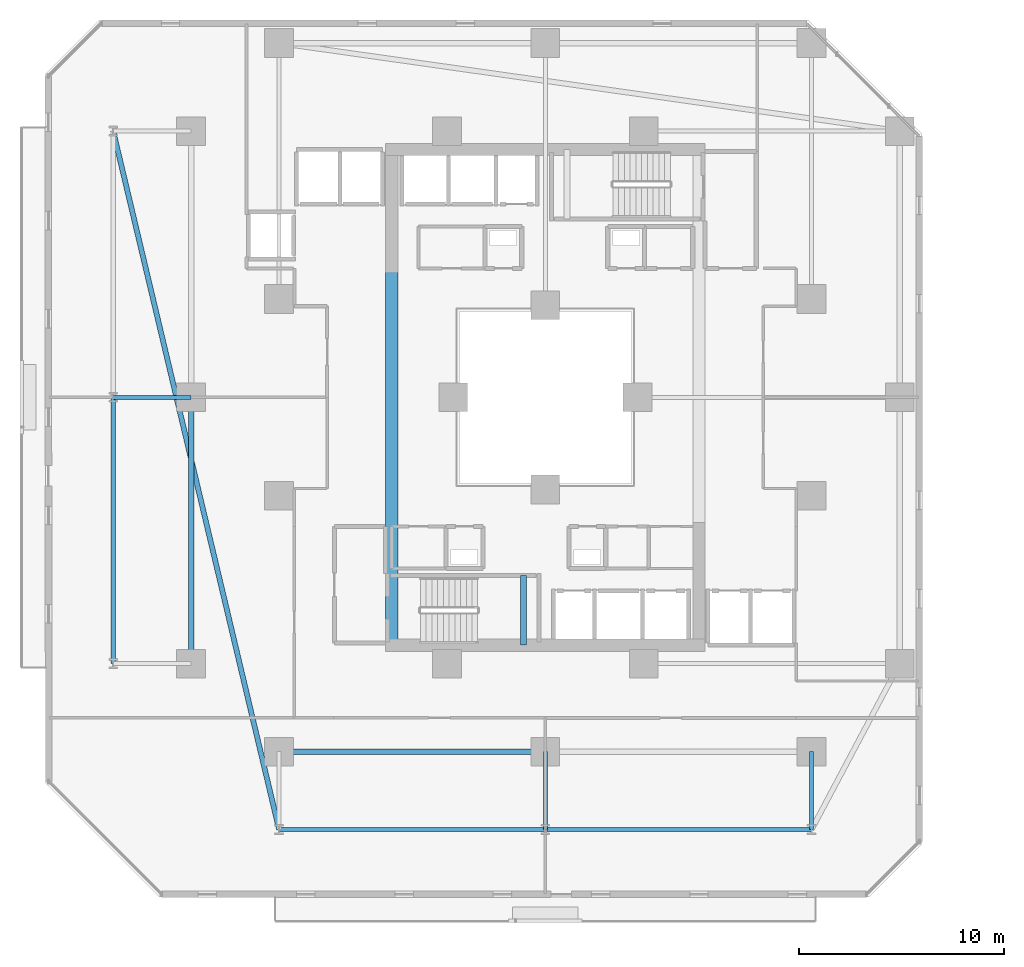
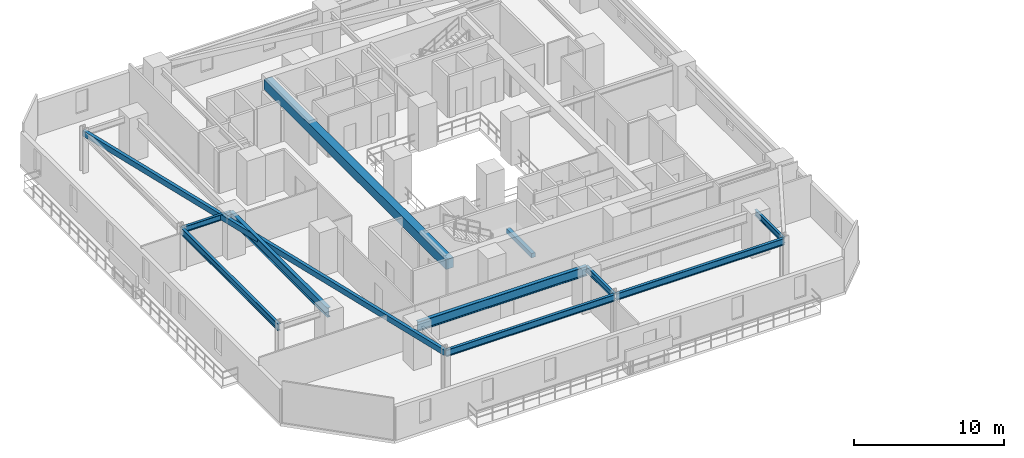
# One storey, part 4 of 33: 11 beams.
"""IFC4 building model written with IfcOpenShell, lengths in metres."""

from ifc_helpers import new_model, si_unit, direction, frame, origin, origin_2d, place, context, subcontext, project, spatial, rectangle, hollow_rectangle, i_section, extrude, material, material_profile, profile_set, type_object, element, save


model = new_model("IFC4")

# Units and contexts
model_context = context("Model", 3, precision=1e-05, world=origin(), true_north=direction((0.0, 1.0)))
body_context = subcontext(model_context, "Body", "Model", "MODEL_VIEW")
ifc_project = project(units=[si_unit("LENGTHUNIT", "METRE"), si_unit("AREAUNIT", "SQUARE_METRE"), si_unit("VOLUMEUNIT", "CUBIC_METRE"), si_unit("PLANEANGLEUNIT", "RADIAN"), si_unit("MASSUNIT", "GRAM", prefix="KILO")], contexts=[model_context])

# Site, building, storey
site_placement = place(None, origin())
site = spatial("IfcSite", under=ifc_project, at=site_placement, CompositionType="ELEMENT")
building_placement = place(site_placement, origin())
building = spatial("IfcBuilding", under=site, at=building_placement, Name="Thornwick Lancets Civic Towers", CompositionType="ELEMENT")
storey_placement = place(building_placement, frame((0.0, 0.0, 35.10009765625)))
storey = spatial("IfcBuildingStorey", under=building, at=storey_placement, Name="L08", CompositionType="ELEMENT", Elevation=35.10009765625)

# Beams
ifc_material_1 = material(Name="Concrete C60/75", Category="concrete")
ifc_material_profile_1 = material_profile(ifc_material_1, rectangle(XDim=0.60009765625, YDim=0.800048828125, at=origin_2d()), Name="RC 600x800")
ifc_profile_set_1 = profile_set([ifc_material_profile_1], Name="Concrete C60/75")
beam_type_1 = type_object("IfcBeamType", Name="BM_COUP_RC800", PredefinedType="BEAM", material=ifc_profile_set_1)
beam_1_placement = place(storey_placement, frame((18.0, 14.89990234375, 2.9599609375), z_axis=(0.0, 1.0, 0.0), x_axis=(-1.0, 0.0, 0.0)))
element("IfcBeam", 1, at=beam_1_placement, inside=storey, type_object=beam_type_1, Name="CB-L08-A2", PredefinedType="BEAM", context=body_context, shape_type="SweptSolid", body=[
    extrude(rectangle(XDim=0.60009765625, YDim=0.800048828125, at=origin_2d()), origin(), (0.0, 0.0, 1.0), 24.2001953125),
])
ifc_material_2 = material(Name="Steel S355JR", Category="steel")
ifc_material_profile_2 = material_profile(ifc_material_2, i_section(OverallWidth=0.2119140625, OverallDepth=0.54443359375, WebThickness=0.0126953125, FlangeThickness=0.021240234375, FilletRadius=0.0126953125, at=origin_2d()), Name="UKB 533x210x122")
ifc_profile_set_2 = profile_set([ifc_material_profile_2], Name="Steel S355JR")
beam_type_2 = type_object("IfcBeamType", Name="BM_EDGE_533_122", PredefinedType="SPANDREL", material=ifc_profile_set_2)
beam_2_placement = place(storey_placement, frame((12.5, 5.89990234375, 3.087646484375), z_axis=(1.0, 0.0, 0.0), x_axis=(0.0, 1.0, 0.0)))
element("IfcBeam", 2, at=beam_2_placement, inside=storey, type_object=beam_type_2, Name="BM-EDGE-L08-A-S0-1", PredefinedType="SPANDREL", context=body_context, shape_type="SweptSolid", body=[
    extrude(i_section(OverallWidth=0.2119140625, OverallDepth=0.54443359375, WebThickness=0.0126953125, FlangeThickness=0.021240234375, FilletRadius=0.0126953125, at=origin_2d()), origin(), (0.0, 0.0, 1.0), 13.0),
])
beam_3_placement = place(storey_placement, frame((25.580078125, 5.89990234375, 3.087646484375), z_axis=(1.0, 0.0, 0.0), x_axis=(0.0, 1.0, 0.0)))
element("IfcBeam", 3, at=beam_3_placement, inside=storey, type_object=beam_type_2, Name="BM-EDGE-L08-A-S0-2", PredefinedType="SPANDREL", context=body_context, shape_type="SweptSolid", body=[
    extrude(i_section(OverallWidth=0.2119140625, OverallDepth=0.54443359375, WebThickness=0.0126953125, FlangeThickness=0.021240234375, FilletRadius=0.0126953125, at=origin_2d()), origin(), (0.0, 0.0, 1.0), 12.919921875),
])
beam_4_placement = place(storey_placement, frame((4.39990234375, 14.0, 3.087646484375), z_axis=(0.0, 1.0, 0.0), x_axis=(-1.0, 0.0, 0.0)))
element("IfcBeam", 4, at=beam_4_placement, inside=storey, type_object=beam_type_2, Name="BM-EDGE-L08-A-S3-1", PredefinedType="SPANDREL", context=body_context, shape_type="SweptSolid", body=[
    extrude(i_section(OverallWidth=0.2119140625, OverallDepth=0.54443359375, WebThickness=0.0126953125, FlangeThickness=0.021240234375, FilletRadius=0.0126953125, at=origin_2d()), origin(), (0.0, 0.0, 1.0), 13.0),
])
ifc_material_profile_3 = material_profile(ifc_material_2, i_section(OverallWidth=0.26806640625, OverallDepth=0.769775390625, WebThickness=0.015625, FlangeThickness=0.025390625, FilletRadius=0.0166015625, at=origin_2d()), Name="UKB 762x267x197")
ifc_profile_set_3 = profile_set([ifc_material_profile_3], Name="Steel S355JR")
beam_type_3 = type_object("IfcBeamType", Name="BM_GIRD_762_197", PredefinedType="BEAM", material=ifc_profile_set_3)
for number, where, z_axis, x_axis, name in (
    (5, (12.5, 9.699951171875, 2.97509765625), (1.0, 0.0, 0.0), (0.0, 1.0, 0.0), "BM-SPINE-L08-A-0-1"),
    (6, (8.199951171875, 14.0, 2.97509765625), (0.0, 1.0, 0.0), (-1.0, 0.0, 0.0), "BM-SPINE-L08-A-9-10"),
):
    element("IfcBeam", number, at=place(storey_placement, frame(where, z_axis=z_axis, x_axis=x_axis)), inside=storey, type_object=beam_type_3, Name=name, PredefinedType="BEAM", context=body_context, shape_type="SweptSolid", body=[
        extrude(i_section(OverallWidth=0.26806640625, OverallDepth=0.769775390625, WebThickness=0.015625, FlangeThickness=0.025390625, FilletRadius=0.0166015625, at=origin_2d()), origin(), (0.0, 0.0, 1.0), 13.0),
    ])
ifc_material_profile_4 = material_profile(ifc_material_2, i_section(OverallWidth=0.19287109375, OverallDepth=0.46728515625, WebThickness=0.011474609375, FlangeThickness=0.01953125, FilletRadius=0.01025390625, at=origin_2d()), Name="UKB 457x191x98")
ifc_profile_set_4 = profile_set([ifc_material_profile_4], Name="Steel S355JR")
beam_type_4 = type_object("IfcBeamType", Name="BM_JOIST_457_98", PredefinedType="JOIST", material=ifc_profile_set_4)
for number, where, z_axis, x_axis, name in (
    (7, (25.5, 9.699951171875, 3.126220703125), (0.0, -1.0, 0.0), (1.0, 0.0, 0.0), "BM-RAD-L08-A02"),
    (8, (38.5, 9.699951171875, 3.126220703125), (0.0, -1.0, 0.0), (1.0, 0.0, 0.0), "BM-RAD-L08-A03"),
    (9, (8.199951171875, 27.0, 3.126220703125), (-1.0, 0.0, 0.0), (0.0, -1.0, 0.0), "BM-RAD-L08-A11"),
):
    element("IfcBeam", number, at=place(storey_placement, frame(where, z_axis=z_axis, x_axis=x_axis)), inside=storey, type_object=beam_type_4, Name=name, PredefinedType="JOIST", context=body_context, shape_type="SweptSolid", body=[
        extrude(i_section(OverallWidth=0.19287109375, OverallDepth=0.46728515625, WebThickness=0.011474609375, FlangeThickness=0.01953125, FilletRadius=0.01025390625, at=origin_2d()), origin(), (0.0, 0.0, 1.0), 3.800048828125),
    ])
ifc_material_profile_5 = material_profile(ifc_material_2, hollow_rectangle(XDim=0.25, YDim=0.449951171875, WallThickness=0.01611328125, at=origin_2d()), Name="RHS 450x250x16")
ifc_profile_set_5 = profile_set([ifc_material_profile_5], Name="Steel S355JR")
beam_type_5 = type_object("IfcBeamType", Name="BM_RING_RHS450", PredefinedType="BEAM", material=ifc_profile_set_5)
beam_5_placement = place(storey_placement, frame((4.39990234375, 40.0, 3.135009765625), z_axis=(0.231108201875, -0.972928054394, 0.0), x_axis=(0.972928054394, 0.231108201875, 0.0)))
element("IfcBeam", 10, at=beam_5_placement, inside=storey, type_object=beam_type_5, Name="BM-CHAMF-L08-A-C3", PredefinedType="BEAM", context=body_context, shape_type="SweptSolid", body=[
    extrude(hollow_rectangle(XDim=0.25, YDim=0.449951171875, WallThickness=0.01611328125, at=origin_2d()), origin(), (0.0, 0.0, 1.0), 35.048828125),
])
ifc_material_3 = material(Name="Concrete C40/50", Category="concrete")
ifc_material_profile_6 = material_profile(ifc_material_3, rectangle(XDim=0.300048828125, YDim=0.35009765625, at=origin_2d()), Name="RC 300x350")
ifc_profile_set_6 = profile_set([ifc_material_profile_6], Name="Concrete C40/50")
beam_type_6 = type_object("IfcBeamType", Name="BM_STAIR_LDG", PredefinedType="BEAM", material=ifc_profile_set_6)
beam_6_placement = place(storey_placement, frame((24.43505859375, 14.89990234375, 1.3779296875), z_axis=(0.0, 1.0, 0.0), x_axis=(-1.0, 0.0, 0.0)))
element("IfcBeam", 11, at=beam_6_placement, inside=storey, type_object=beam_type_6, Name="L08 ST-A1 Landing Support Beam 1", PredefinedType="BEAM", context=body_context, shape_type="SweptSolid", body=[
    extrude(rectangle(XDim=0.300048828125, YDim=0.35009765625, at=origin_2d()), origin(), (0.0, 0.0, 1.0), 3.400146484375),
])

save(model, "model.ifc")
